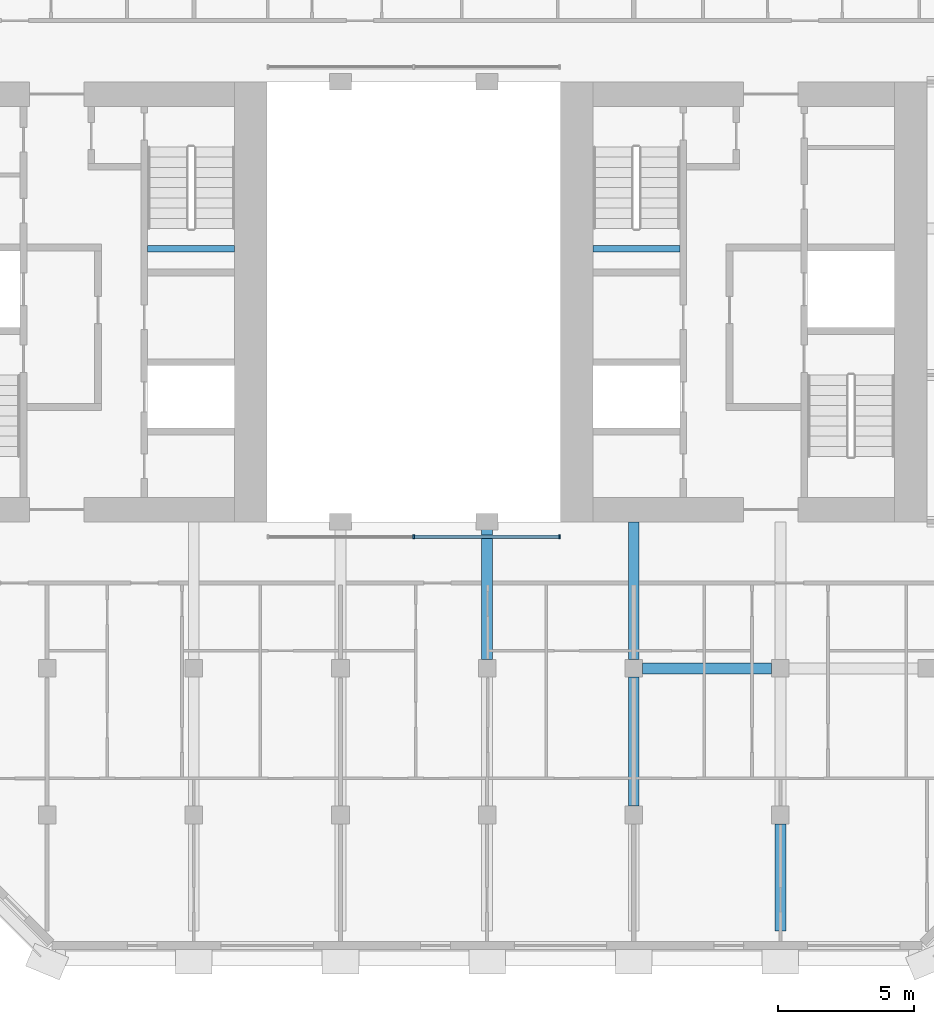
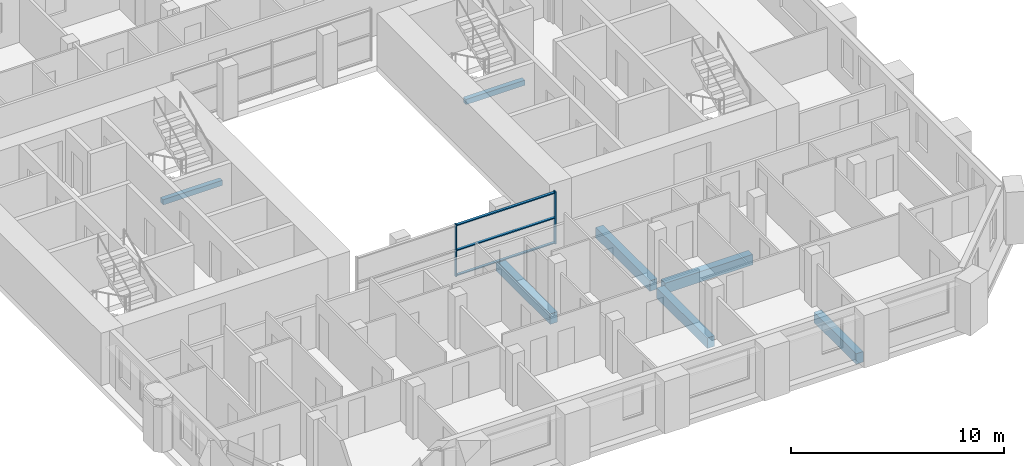
# One storey, part 4 of 16: 7 beams, 5 members, 1 element without a shape of its own.
"""IFC4 building model written with IfcOpenShell, lengths in metres."""

from ifc_helpers import new_model, si_unit, direction, frame, origin, origin_2d, place, context, subcontext, project, spatial, rectangle, extrude, material, material_profile, profile_set, type_object, element, aggregate, save


model = new_model("IFC4")

# Units and contexts
model_context = context("Model", 3, precision=1e-05, world=origin(), true_north=direction((0.0, 1.0)))
body_context = subcontext(model_context, "Body", "Model", "MODEL_VIEW")
ifc_project = project(units=[si_unit("LENGTHUNIT", "METRE"), si_unit("AREAUNIT", "SQUARE_METRE"), si_unit("VOLUMEUNIT", "CUBIC_METRE"), si_unit("PLANEANGLEUNIT", "RADIAN"), si_unit("MASSUNIT", "GRAM", prefix="KILO")], contexts=[model_context])

# Site, building, storey
site_placement = place(None, origin())
site = spatial("IfcSite", under=ifc_project, at=site_placement, CompositionType="ELEMENT")
building_placement = place(site_placement, origin())
building = spatial("IfcBuilding", under=site, at=building_placement, Name="Tabaq Tower and Sports Hall", CompositionType="ELEMENT")
storey_placement = place(building_placement, frame((0.0, 0.0, 268.60009765625)))
storey = spatial("IfcBuildingStorey", under=building, at=storey_placement, Name="L65", CompositionType="ELEMENT", Elevation=268.60009765625)

# Curtain wall, members
ifc_material_1 = material(Name="Aluminium alloy 6063-T6 framed glazing", Category="aluminium")
curtain_wall_type = type_object("IfcCurtainWallType", Name="CW1 curtain wall", PredefinedType="USERDEFINED", material=ifc_material_1)
curtain_wall_placement = place(storey_placement, origin())
curtain_wall = element("IfcCurtainWall", 1, at=curtain_wall_placement, inside=storey, type_object=curtain_wall_type, Name="Atrium glazing L65 S", ObjectType="ATRIUM ENCLOSURE", PredefinedType="USERDEFINED")
ifc_material_2 = material(Name="Aluminium alloy 6063-T6", Category="aluminium")
ifc_material_profile_1 = material_profile(ifc_material_2, rectangle(XDim=0.159912109375, YDim=0.06005859375, at=origin_2d()), Name="MULLION 160x60")
ifc_profile_set_1 = profile_set([ifc_material_profile_1], Name="Aluminium alloy 6063-T6")
member_type_1 = type_object("IfcMemberType", Name="CW1 mullion 160x60", PredefinedType="MULLION", material=ifc_profile_set_1)
member_1_placement = place(storey_placement, frame((24.300048828125, 15.64990234375, 0.0), z_axis=(0.0, 0.0, 1.0), x_axis=(0.0, 1.0, 0.0)))
member_1 = element("IfcMember", 2, at=member_1_placement, type_object=member_type_1, Name="CW1 mullion 2", PredefinedType="MULLION", context=body_context, shape_type="SweptSolid", body=[
    extrude(rectangle(XDim=0.159912109375, YDim=0.06005859375, at=origin_2d()), origin(), (0.0, 0.0, 1.0), 3.0),
])
member_2_placement = place(storey_placement, frame((29.669921875, 15.64990234375, 0.0), z_axis=(0.0, 0.0, 1.0), x_axis=(0.0, 1.0, 0.0)))
member_2 = element("IfcMember", 3, at=member_2_placement, type_object=member_type_1, Name="CW1 mullion 3", PredefinedType="MULLION", context=body_context, shape_type="SweptSolid", body=[
    extrude(rectangle(XDim=0.159912109375, YDim=0.06005859375, at=origin_2d()), origin(), (0.0, 0.0, 1.0), 3.0),
])
ifc_material_3 = material(Name="Aluminium alloy 6063-T6", Category="aluminium")
ifc_material_profile_2 = material_profile(ifc_material_3, rectangle(XDim=0.139892578125, YDim=0.06005859375, at=origin_2d()), Name="TRANSOM 140x60")
ifc_profile_set_2 = profile_set([ifc_material_profile_2], Name="Aluminium alloy 6063-T6")
member_type_2 = type_object("IfcMemberType", Name="CW1 transom 140x60", PredefinedType="USERDEFINED", material=ifc_profile_set_2)
member_3_placement = place(storey_placement, frame((24.330078125, 15.64990234375, 0.06982421875), z_axis=(1.0, 0.0, 0.0), x_axis=(0.0, 1.0, 0.0)))
member_3 = element("IfcMember", 4, at=member_3_placement, type_object=member_type_2, Name="CW1 transom 2.1", ObjectType="TRANSOM", PredefinedType="USERDEFINED", context=body_context, shape_type="SweptSolid", body=[
    extrude(rectangle(XDim=0.139892578125, YDim=0.06005859375, at=origin_2d()), origin(), (0.0, 0.0, 1.0), 5.309814453125),
])
member_4_placement = place(storey_placement, frame((24.330078125, 15.64990234375, 1.5), z_axis=(1.0, 0.0, 0.0), x_axis=(0.0, 1.0, 0.0)))
member_4 = element("IfcMember", 5, at=member_4_placement, type_object=member_type_2, Name="CW1 transom 2.2", ObjectType="TRANSOM", PredefinedType="USERDEFINED", context=body_context, shape_type="SweptSolid", body=[
    extrude(rectangle(XDim=0.139892578125, YDim=0.06005859375, at=origin_2d()), origin(), (0.0, 0.0, 1.0), 5.309814453125),
])
member_5_placement = place(storey_placement, frame((24.330078125, 15.64990234375, 2.929931640625), z_axis=(1.0, 0.0, 0.0), x_axis=(0.0, 1.0, 0.0)))
member_5 = element("IfcMember", 6, at=member_5_placement, type_object=member_type_2, Name="CW1 transom 2.3", ObjectType="TRANSOM", PredefinedType="USERDEFINED", context=body_context, shape_type="SweptSolid", body=[
    extrude(rectangle(XDim=0.139892578125, YDim=0.06005859375, at=origin_2d()), origin(), (0.0, 0.0, 1.0), 5.309814453125),
])
aggregate(curtain_wall, [member_1, member_2, member_3, member_4, member_5])

# Beams
ifc_material_4 = material(Name="Concrete C40/50", Category="concrete")
ifc_material_profile_3 = material_profile(ifc_material_4, rectangle(XDim=0.39990234375, YDim=0.60009765625, at=origin_2d()), Name="CB 400x600")
ifc_profile_set_3 = profile_set([ifc_material_profile_3], Name="Concrete C40/50")
beam_type_1 = type_object("IfcBeamType", Name="PT CANTILEVER BEAM CB 400x600 C40/50", PredefinedType="BEAM", material=ifc_profile_set_3)
beam_1_placement = place(storey_placement, frame((37.47509765625, 10.800048828125, -0.60009765625), z_axis=(-1.0, 0.0, 0.0), x_axis=(0.0, -1.0, 0.0)))
element("IfcBeam", 7, at=beam_1_placement, inside=storey, type_object=beam_type_1, Name="Cantilever Beam L65 E2 span 3", PredefinedType="BEAM", context=body_context, shape_type="SweptSolid", body=[
    extrude(rectangle(XDim=0.39990234375, YDim=0.60009765625, at=origin_2d()), origin(), (0.0, 0.0, 1.0), 4.75),
])
beam_2_placement = place(storey_placement, frame((27.0, 11.125, -0.60009765625), z_axis=(0.0, 1.0, 0.0), x_axis=(-1.0, 0.0, 0.0)))
element("IfcBeam", 8, at=beam_2_placement, inside=storey, type_object=beam_type_1, Name="Cantilever Beam L65 S5 span 3", PredefinedType="BEAM", context=body_context, shape_type="SweptSolid", body=[
    extrude(rectangle(XDim=0.39990234375, YDim=0.60009765625, at=origin_2d()), origin(), (0.0, 0.0, 1.0), 5.074951171875),
])
beam_3_placement = place(storey_placement, frame((32.39990234375, 5.72509765625, -0.60009765625), z_axis=(0.0, 1.0, 0.0), x_axis=(-1.0, 0.0, 0.0)))
element("IfcBeam", 9, at=beam_3_placement, inside=storey, type_object=beam_type_1, Name="Cantilever Beam L65 S6 span 2", PredefinedType="BEAM", context=body_context, shape_type="SweptSolid", body=[
    extrude(rectangle(XDim=0.39990234375, YDim=0.60009765625, at=origin_2d()), origin(), (0.0, 0.0, 1.0), 4.75),
])
beam_4_placement = place(storey_placement, frame((32.39990234375, 11.125, -0.60009765625), z_axis=(0.0, 1.0, 0.0), x_axis=(-1.0, 0.0, 0.0)))
element("IfcBeam", 10, at=beam_4_placement, inside=storey, type_object=beam_type_1, Name="Cantilever Beam L65 S6 span 3", PredefinedType="BEAM", context=body_context, shape_type="SweptSolid", body=[
    extrude(rectangle(XDim=0.39990234375, YDim=0.60009765625, at=origin_2d()), origin(), (0.0, 0.0, 1.0), 5.074951171875),
])
beam_5_placement = place(storey_placement, frame((37.800048828125, 1.125, -0.60009765625), z_axis=(0.0, 1.0, 0.0), x_axis=(-1.0, 0.0, 0.0)))
element("IfcBeam", 11, at=beam_5_placement, inside=storey, type_object=beam_type_1, Name="Cantilever Beam L65 S7 span 1", PredefinedType="BEAM", context=body_context, shape_type="SweptSolid", body=[
    extrude(rectangle(XDim=0.39990234375, YDim=0.60009765625, at=origin_2d()), origin(), (0.0, 0.0, 1.0), 3.949951171875),
])
ifc_material_5 = material(Name="Concrete C40/50", Category="concrete")
ifc_material_profile_4 = material_profile(ifc_material_5, rectangle(XDim=0.25, YDim=0.300048828125, at=origin_2d()), Name="RC 250x300")
ifc_profile_set_4 = profile_set([ifc_material_profile_4], Name="Concrete C40/50")
beam_type_2 = type_object("IfcBeamType", Name="Stair landing beam 250x300", PredefinedType="BEAM", material=ifc_profile_set_4)
beam_6_placement = place(storey_placement, frame((14.5, 26.25, 1.2998046875), z_axis=(1.0, 0.0, 0.0), x_axis=(0.0, 1.0, 0.0)))
element("IfcBeam", 12, at=beam_6_placement, inside=storey, type_object=beam_type_2, Name="L65 ST2 landing beam 1", PredefinedType="BEAM", context=body_context, shape_type="SweptSolid", body=[
    extrude(rectangle(XDim=0.25, YDim=0.300048828125, at=origin_2d()), origin(), (0.0, 0.0, 1.0), 3.199951171875),
])
beam_7_placement = place(storey_placement, frame((30.89990234375, 26.25, 1.2998046875), z_axis=(1.0, 0.0, 0.0), x_axis=(0.0, 1.0, 0.0)))
element("IfcBeam", 13, at=beam_7_placement, inside=storey, type_object=beam_type_2, Name="L65 ST4 landing beam 1", PredefinedType="BEAM", context=body_context, shape_type="SweptSolid", body=[
    extrude(rectangle(XDim=0.25, YDim=0.300048828125, at=origin_2d()), origin(), (0.0, 0.0, 1.0), 3.2001953125),
])

save(model, "model.ifc")
